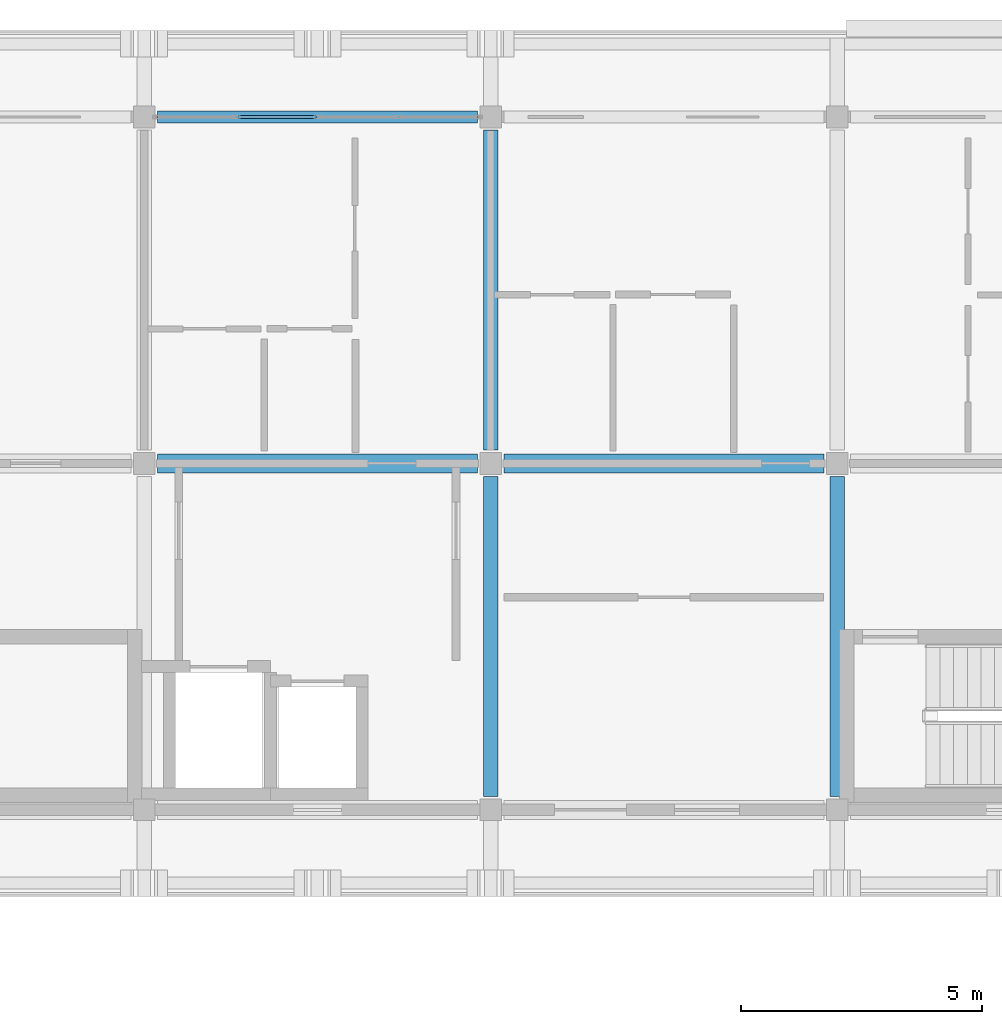
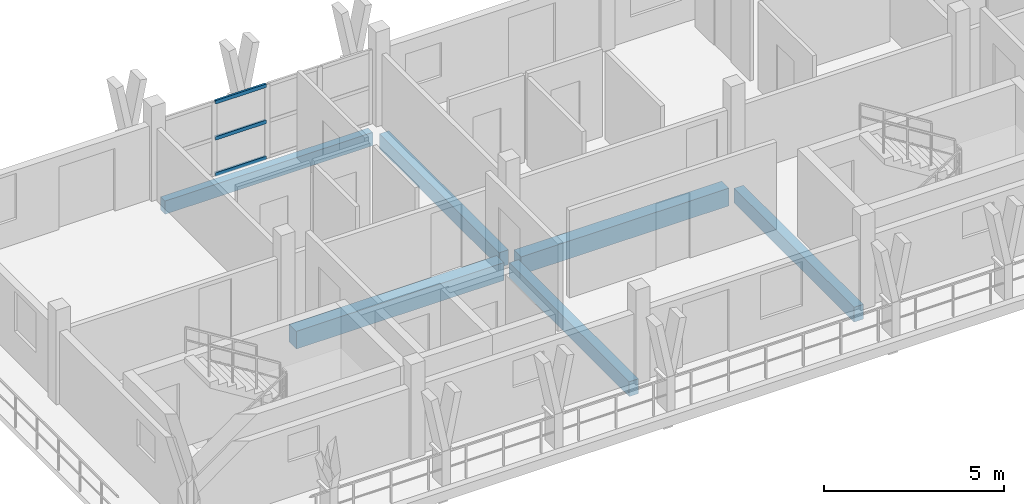
# One storey, part 22 of 56: 6 beams, 3 members, 1 element without a shape of its own.
"""IFC4 building model written with IfcOpenShell, lengths in metres."""

from ifc_helpers import new_model, si_unit, direction, frame, origin, origin_2d, place, context, subcontext, project, spatial, rectangle, hollow_rectangle, extrude, material, material_profile, profile_set, type_object, element, aggregate, save


model = new_model("IFC4")

# Units and contexts
model_context = context("Model", 3, precision=1e-05, world=origin(), true_north=direction((0.0, 1.0)))
body_context = subcontext(model_context, "Body", "Model", "MODEL_VIEW")
ifc_project = project(units=[si_unit("LENGTHUNIT", "METRE"), si_unit("AREAUNIT", "SQUARE_METRE"), si_unit("VOLUMEUNIT", "CUBIC_METRE"), si_unit("PLANEANGLEUNIT", "RADIAN"), si_unit("MASSUNIT", "GRAM", prefix="KILO")], contexts=[model_context])

# Site, building, storey
site_placement = place(None, origin())
site = spatial("IfcSite", under=ifc_project, at=site_placement, CompositionType="ELEMENT")
building_placement = place(site_placement, origin())
building = spatial("IfcBuilding", under=site, at=building_placement, Name="Suanplinth Sawtooth Commons", CompositionType="ELEMENT")
storey_placement = place(building_placement, frame((0.0, 0.0, 34.800048828125)))
storey = spatial("IfcBuildingStorey", under=building, at=storey_placement, Name="L10", CompositionType="ELEMENT", Elevation=34.800048828125)

# Beams
ifc_material_1 = material(Name="Precast concrete C40/50", Category="concrete")
ifc_material_profile_1 = material_profile(ifc_material_1, rectangle(XDim=0.39990234375, YDim=0.60009765625, at=origin_2d()), Name="PC-GDR 400x600")
ifc_profile_set_1 = profile_set([ifc_material_profile_1], Name="Precast concrete C40/50")
beam_type_1 = type_object("IfcBeamType", Name="B-05", PredefinedType="USERDEFINED", material=ifc_profile_set_1)
beam_1_placement = place(storey_placement, frame((144.27490234375, 115.199951171875, -0.52001953125), z_axis=(1.0, 0.0, 0.0), x_axis=(0.0, 1.0, 0.0)))
element("IfcBeam", 1, at=beam_1_placement, inside=storey, type_object=beam_type_1, Name="BMX-L10-B-20-16", ObjectType="GIRDER", PredefinedType="USERDEFINED", context=body_context, shape_type="SweptSolid", body=[
    extrude(rectangle(XDim=0.39990234375, YDim=0.60009765625, at=origin_2d()), origin(), (0.0, 0.0, 1.0), 6.650146484375),
])
beam_2_placement = place(storey_placement, frame((151.47509765625, 115.199951171875, -0.52001953125), z_axis=(1.0, 0.0, 0.0), x_axis=(0.0, 1.0, 0.0)))
element("IfcBeam", 2, at=beam_2_placement, inside=storey, type_object=beam_type_1, Name="BMX-L10-B-21-16", ObjectType="GIRDER", PredefinedType="USERDEFINED", context=body_context, shape_type="SweptSolid", body=[
    extrude(rectangle(XDim=0.39990234375, YDim=0.60009765625, at=origin_2d()), origin(), (0.0, 0.0, 1.0), 6.64990234375),
])
ifc_material_profile_2 = material_profile(ifc_material_1, rectangle(XDim=0.300048828125, YDim=0.5, at=origin_2d()), Name="PC-BM 300x500")
ifc_profile_set_2 = profile_set([ifc_material_profile_2], Name="Precast concrete C40/50")
beam_type_2 = type_object("IfcBeamType", Name="B-07", PredefinedType="BEAM", material=ifc_profile_set_2)
beam_3_placement = place(storey_placement, frame((151.199951171875, 108.27490234375, -0.469970703125), z_axis=(0.0, 1.0, 0.0), x_axis=(-1.0, 0.0, 0.0)))
element("IfcBeam", 3, at=beam_3_placement, inside=storey, type_object=beam_type_2, Name="BMY-L10-B-21-15", PredefinedType="BEAM", context=body_context, shape_type="SweptSolid", body=[
    extrude(rectangle(XDim=0.300048828125, YDim=0.5, at=origin_2d()), origin(), (0.0, 0.0, 1.0), 6.650146484375),
])
beam_4_placement = place(storey_placement, frame((151.199951171875, 115.47509765625, -0.469970703125), z_axis=(0.0, 1.0, 0.0), x_axis=(-1.0, 0.0, 0.0)))
element("IfcBeam", 4, at=beam_4_placement, inside=storey, type_object=beam_type_2, Name="BMY-L10-B-21-16", PredefinedType="BEAM", context=body_context, shape_type="SweptSolid", body=[
    extrude(rectangle(XDim=0.300048828125, YDim=0.5, at=origin_2d()), origin(), (0.0, 0.0, 1.0), 6.64990234375),
])
beam_5_placement = place(storey_placement, frame((158.39990234375, 108.27490234375, -0.469970703125), z_axis=(0.0, 1.0, 0.0), x_axis=(-1.0, 0.0, 0.0)))
element("IfcBeam", 5, at=beam_5_placement, inside=storey, type_object=beam_type_2, Name="BMY-L10-B-22-15", PredefinedType="BEAM", context=body_context, shape_type="SweptSolid", body=[
    extrude(rectangle(XDim=0.300048828125, YDim=0.5, at=origin_2d()), origin(), (0.0, 0.0, 1.0), 6.650146484375),
])
ifc_material_profile_3 = material_profile(ifc_material_1, rectangle(XDim=0.25, YDim=0.449951171875, at=origin_2d()), Name="PC-SP 250x450")
ifc_profile_set_3 = profile_set([ifc_material_profile_3], Name="Precast concrete C40/50")
beam_type_3 = type_object("IfcBeamType", Name="B-09", PredefinedType="SPANDREL", material=ifc_profile_set_3)
beam_6_placement = place(storey_placement, frame((144.27490234375, 122.39990234375, -0.445068359375), z_axis=(1.0, 0.0, 0.0), x_axis=(0.0, 1.0, 0.0)))
element("IfcBeam", 6, at=beam_6_placement, inside=storey, type_object=beam_type_3, Name="BMX-L10-B-20-17", PredefinedType="SPANDREL", context=body_context, shape_type="SweptSolid", body=[
    extrude(rectangle(XDim=0.25, YDim=0.449951171875, at=origin_2d()), origin(), (0.0, 0.0, 1.0), 6.650146484375),
])

# Curtain wall, members
ifc_material_2 = material(Name="Anodized aluminium and low-E glazing", Category="aluminium")
curtain_wall_type = type_object("IfcCurtainWallType", Name="CW-06", PredefinedType="USERDEFINED", material=ifc_material_2)
curtain_wall_placement = place(storey_placement, origin())
curtain_wall = element("IfcCurtainWall", 7, at=curtain_wall_placement, inside=storey, type_object=curtain_wall_type, Name="Curtain Wall CW-L10-B-LOUNGE-20", ObjectType="CURTAIN WALL", PredefinedType="USERDEFINED")
ifc_material_3 = material(Name="Anodized aluminium 6063-T6", Category="aluminium")
ifc_material_profile_4 = material_profile(ifc_material_3, hollow_rectangle(XDim=0.06494140625, YDim=0.1201171875, WallThickness=0.00390625, at=origin_2d()), Name="ALU-TRN 65x120")
ifc_profile_set_4 = profile_set([ifc_material_profile_4], Name="Anodized aluminium 6063-T6")
member_type = type_object("IfcMemberType", Name="M-15", PredefinedType="USERDEFINED", material=ifc_profile_set_4)
member_1_placement = place(storey_placement, frame((145.945068359375, 122.39990234375, 0.032470703125), z_axis=(1.0, 0.0, 0.0), x_axis=(0.0, 1.0, 0.0)))
member_1 = element("IfcMember", 8, at=member_1_placement, type_object=member_type, Name="CW-06 transom 2.1", ObjectType="TRANSOM", PredefinedType="USERDEFINED", context=body_context, shape_type="SweptSolid", body=[
    extrude(hollow_rectangle(XDim=0.06494140625, YDim=0.1201171875, WallThickness=0.00390625, at=origin_2d()), origin(), (0.0, 0.0, 1.0), 1.622314453125),
])
member_2_placement = place(storey_placement, frame((145.945068359375, 122.39990234375, 1.2548828125), z_axis=(1.0, 0.0, 0.0), x_axis=(0.0, 1.0, 0.0)))
member_2 = element("IfcMember", 9, at=member_2_placement, type_object=member_type, Name="CW-06 transom 2.2", ObjectType="TRANSOM", PredefinedType="USERDEFINED", context=body_context, shape_type="SweptSolid", body=[
    extrude(hollow_rectangle(XDim=0.06494140625, YDim=0.1201171875, WallThickness=0.00390625, at=origin_2d()), origin(), (0.0, 0.0, 1.0), 1.622314453125),
])
member_3_placement = place(storey_placement, frame((145.945068359375, 122.39990234375, 2.4775390625), z_axis=(1.0, 0.0, 0.0), x_axis=(0.0, 1.0, 0.0)))
member_3 = element("IfcMember", 10, at=member_3_placement, type_object=member_type, Name="CW-06 transom 2.3", ObjectType="TRANSOM", PredefinedType="USERDEFINED", context=body_context, shape_type="SweptSolid", body=[
    extrude(hollow_rectangle(XDim=0.06494140625, YDim=0.1201171875, WallThickness=0.00390625, at=origin_2d()), origin(), (0.0, 0.0, 1.0), 1.622314453125),
])
aggregate(curtain_wall, [member_1, member_2, member_3])

save(model, "model.ifc")
